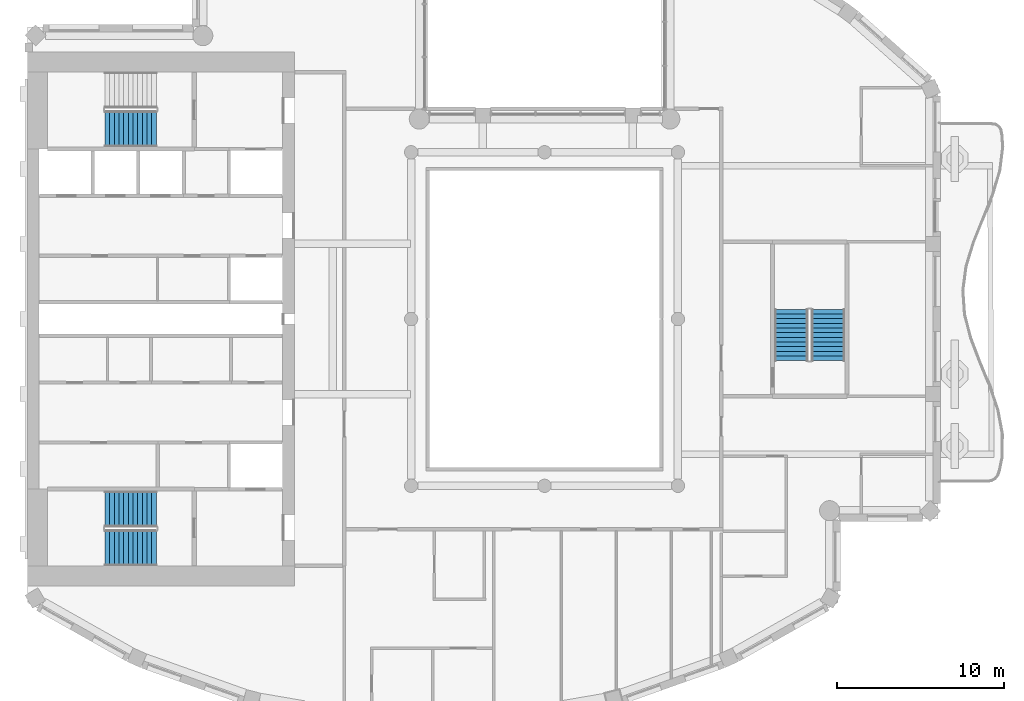
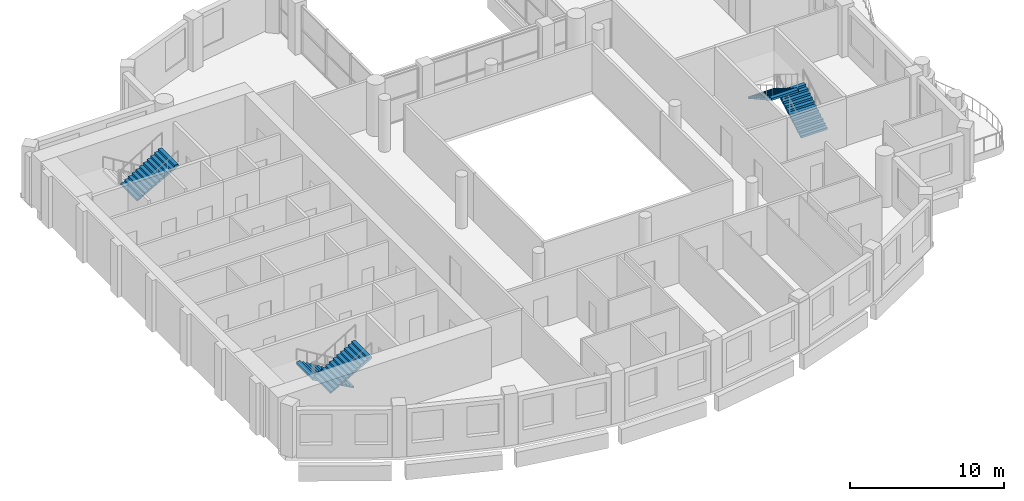
# One storey, part 9 of 15: 5 stair flights, 3 elements without a shape of their own.
"""IFC4 building model written with IfcOpenShell, lengths in metres."""

from ifc_helpers import new_model, si_unit, direction, frame, origin, place, context, subcontext, project, spatial, triangles, material, type_object, element, aggregate, save


model = new_model("IFC4")

# Units and contexts
model_context = context("Model", 3, precision=1e-05, world=origin(), true_north=direction((0.0, 1.0)))
body_context = subcontext(model_context, "Body", "Model", "MODEL_VIEW")
ifc_project = project(units=[si_unit("LENGTHUNIT", "METRE"), si_unit("AREAUNIT", "SQUARE_METRE"), si_unit("VOLUMEUNIT", "CUBIC_METRE"), si_unit("PLANEANGLEUNIT", "RADIAN"), si_unit("MASSUNIT", "GRAM", prefix="KILO")], contexts=[model_context])

# Site, building, storey
site_placement = place(None, origin())
site = spatial("IfcSite", under=ifc_project, at=site_placement, CompositionType="ELEMENT")
building_placement = place(site_placement, origin())
building = spatial("IfcBuilding", under=site, at=building_placement, Name="Cypress Arch Tower", CompositionType="ELEMENT")
storey_placement = place(building_placement, frame((0.0, 0.0, 317.199951171875)))
storey = spatial("IfcBuildingStorey", under=building, at=storey_placement, Name="L72", CompositionType="ELEMENT", Elevation=317.199951171875)

# Stair, stair flights
ifc_material_1 = material(Name="Concrete C40/50", Category="concrete")
stair_type_1 = type_object("IfcStairType", Name="Exit stair ES1708-200", PredefinedType="HALF_TURN_STAIR", material=ifc_material_1)
stair_1_placement = place(storey_placement, origin())
stair_1 = element("IfcStair", 1, at=stair_1_placement, inside=storey, type_object=stair_type_1, Name="L72 Exit stair C", PredefinedType="HALF_TURN_STAIR")
ifc_material_2 = material(Name="Concrete C40/50", Category="concrete")
stair_flight_type_1 = type_object("IfcStairFlightType", Name="Exit stair flight ES1708-200", PredefinedType="STRAIGHT", material=ifc_material_2)
stair_flight_1_placement = place(storey_placement, frame((18.0, -2.5, 0.0), z_axis=(0.0, 0.0, 1.0), x_axis=(0.0, 1.0, 0.0)))
stair_flight_1 = element("IfcStairFlight", 2, at=stair_flight_1_placement, type_object=stair_flight_type_1, Name="C flight 1", NumberOfRisers=12, NumberOfTreads=11, PredefinedType="STRAIGHT", RiserHeight=0.170833333, TreadLength=0.28, context=body_context, shape_type="Tessellation", body=[
    triangles([(0.0, -1.0, 0.0), (0.0, -1.0, 0.1708984375), (0.280029296875, -1.0, 0.1708984375), (0.280029296875, -1.0, 0.341552734375), (0.56005859375, -1.0, 0.341552734375), (0.56005859375, -1.0, 0.512451171875), (0.840087890625, -1.0, 0.512451171875), (0.840087890625, -1.0, 0.683349609375), (1.1201171875, -1.0, 0.683349609375), (1.1201171875, -1.0, 0.854248046875), (1.39990234375, -1.0, 0.854248046875), (1.39990234375, -1.0, 1.02490234375), (1.679931640625, -1.0, 1.02490234375), (1.679931640625, -1.0, 1.19580078125), (1.9599609375, -1.0, 1.19580078125), (1.9599609375, -1.0, 1.36669921875), (2.239990234375, -1.0, 1.36669921875), (2.239990234375, -1.0, 1.53759765625), (2.52001953125, -1.0, 1.53759765625), (2.52001953125, -1.0, 1.708251953125), (2.800048828125, -1.0, 1.708251953125), (2.800048828125, -1.0, 1.879150390625), (3.080078125, -1.0, 1.879150390625), (3.080078125, -1.0, 1.70361328125), (3.080078125, 1.0, 1.70361328125), (3.080078125, 1.0, 1.879150390625), (2.800048828125, 1.0, 1.879150390625), (2.800048828125, 1.0, 1.708251953125), (2.52001953125, 1.0, 1.708251953125), (2.52001953125, 1.0, 1.53759765625), (2.239990234375, 1.0, 1.53759765625), (2.239990234375, 1.0, 1.36669921875), (1.9599609375, 1.0, 1.36669921875), (1.9599609375, 1.0, 1.19580078125), (1.679931640625, 1.0, 1.19580078125), (1.679931640625, 1.0, 1.02490234375), (1.39990234375, 1.0, 1.02490234375), (1.39990234375, 1.0, 0.854248046875), (1.1201171875, 1.0, 0.854248046875), (1.1201171875, 1.0, 0.683349609375), (0.840087890625, 1.0, 0.683349609375), (0.840087890625, 1.0, 0.512451171875), (0.56005859375, 1.0, 0.512451171875), (0.56005859375, 1.0, 0.341552734375), (0.280029296875, 1.0, 0.341552734375), (0.280029296875, 1.0, 0.1708984375), (0.0, 1.0, 0.1708984375), (0.0, 1.0, 0.0), (3.080078125, 0.0, 1.879150390625), (3.080078125, 0.0, 1.70361328125), (2.800048828125, 0.0, 1.879150390625), (2.800048828125, 0.0, 1.708251953125), (2.52001953125, 0.0, 1.708251953125), (2.52001953125, 0.0, 1.53759765625), (2.239990234375, 0.0, 1.53759765625), (2.239990234375, 0.0, 1.36669921875), (1.9599609375, 0.0, 1.36669921875), (1.9599609375, 0.0, 1.19580078125), (1.679931640625, 0.0, 1.19580078125), (1.679931640625, 0.0, 1.02490234375), (1.39990234375, 0.0, 1.02490234375), (1.39990234375, 0.0, 0.854248046875), (1.1201171875, 0.0, 0.854248046875), (1.1201171875, 0.0, 0.683349609375), (0.840087890625, 0.0, 0.683349609375), (0.840087890625, 0.0, 0.512451171875), (0.56005859375, 0.0, 0.512451171875), (0.56005859375, 0.0, 0.341552734375), (0.280029296875, 0.0, 0.341552734375), (0.280029296875, 0.0, 0.1708984375), (0.0, 0.0, 0.1708984375), (0.0, 0.0, 0.0)], [[24, 23, 22], [11, 10, 9], [19, 18, 17], [17, 16, 15], [15, 14, 13], [9, 8, 7], [7, 6, 5], [3, 2, 1], [21, 20, 19], [13, 12, 11], [5, 4, 3], [24, 22, 21], [24, 21, 19], [24, 19, 17], [24, 17, 15], [24, 15, 13], [24, 13, 11], [24, 11, 9], [24, 9, 7], [24, 7, 5], [1, 24, 5], [5, 3, 1], [25, 27, 26], [38, 40, 39], [30, 32, 31], [32, 34, 33], [34, 36, 35], [40, 42, 41], [42, 44, 43], [46, 48, 47], [28, 30, 29], [36, 38, 37], [44, 46, 45], [25, 28, 27], [25, 30, 28], [25, 32, 30], [25, 34, 32], [25, 36, 34], [25, 38, 36], [25, 40, 38], [25, 42, 40], [25, 44, 42], [48, 44, 25], [44, 48, 46], [50, 49, 23], [50, 23, 24], [25, 26, 49], [25, 49, 50], [49, 51, 22], [49, 22, 23], [26, 27, 51], [26, 51, 49], [51, 52, 21], [51, 21, 22], [27, 28, 52], [27, 52, 51], [52, 53, 20], [52, 20, 21], [28, 29, 53], [28, 53, 52], [53, 54, 19], [53, 19, 20], [29, 30, 54], [29, 54, 53], [54, 55, 18], [54, 18, 19], [30, 31, 55], [30, 55, 54], [55, 56, 17], [55, 17, 18], [31, 32, 56], [31, 56, 55], [56, 57, 16], [56, 16, 17], [32, 33, 57], [32, 57, 56], [57, 58, 15], [57, 15, 16], [33, 34, 58], [33, 58, 57], [58, 59, 14], [58, 14, 15], [34, 35, 59], [34, 59, 58], [59, 60, 13], [59, 13, 14], [35, 36, 60], [35, 60, 59], [60, 61, 12], [60, 12, 13], [36, 37, 61], [36, 61, 60], [61, 62, 11], [61, 11, 12], [37, 38, 62], [37, 62, 61], [62, 63, 10], [62, 10, 11], [38, 39, 63], [38, 63, 62], [63, 64, 9], [63, 9, 10], [39, 40, 64], [39, 64, 63], [64, 65, 8], [64, 8, 9], [40, 41, 65], [40, 65, 64], [65, 66, 7], [65, 7, 8], [41, 42, 66], [41, 66, 65], [66, 67, 6], [66, 6, 7], [42, 43, 67], [42, 67, 66], [67, 68, 5], [67, 5, 6], [43, 44, 68], [43, 68, 67], [68, 69, 4], [68, 4, 5], [44, 45, 69], [44, 69, 68], [69, 70, 3], [69, 3, 4], [45, 46, 70], [45, 70, 69], [70, 71, 2], [70, 2, 3], [46, 47, 71], [46, 71, 70], [71, 72, 1], [71, 1, 2], [47, 48, 72], [47, 72, 71], [72, 50, 24], [72, 24, 1], [48, 25, 50], [48, 50, 72]], closed=True),
])
stair_flight_2_placement = place(storey_placement, frame((15.800048828125, 0.580078125, 2.050048828125), z_axis=(0.0, 0.0, 1.0), x_axis=(0.0, -1.0, 0.0)))
stair_flight_2 = element("IfcStairFlight", 3, at=stair_flight_2_placement, type_object=stair_flight_type_1, Name="C flight 2", NumberOfRisers=12, NumberOfTreads=11, PredefinedType="STRAIGHT", RiserHeight=0.170833333, TreadLength=0.28, context=body_context, shape_type="Tessellation", body=[
    triangles([(0.0, -1.0, 0.0), (0.0, -1.0, 0.1708984375), (0.280029296875, -1.0, 0.1708984375), (0.280029296875, -1.0, 0.341552734375), (0.56005859375, -1.0, 0.341552734375), (0.56005859375, -1.0, 0.512451171875), (0.840087890625, -1.0, 0.512451171875), (0.840087890625, -1.0, 0.683349609375), (1.1201171875, -1.0, 0.683349609375), (1.1201171875, -1.0, 0.854248046875), (1.39990234375, -1.0, 0.854248046875), (1.39990234375, -1.0, 1.02490234375), (1.679931640625, -1.0, 1.02490234375), (1.679931640625, -1.0, 1.19580078125), (1.9599609375, -1.0, 1.19580078125), (1.9599609375, -1.0, 1.36669921875), (2.239990234375, -1.0, 1.36669921875), (2.239990234375, -1.0, 1.53759765625), (2.52001953125, -1.0, 1.53759765625), (2.52001953125, -1.0, 1.708251953125), (2.800048828125, -1.0, 1.708251953125), (2.800048828125, -1.0, 1.879150390625), (3.080078125, -1.0, 1.879150390625), (3.080078125, -1.0, 1.70361328125), (3.080078125, 1.0, 1.70361328125), (3.080078125, 1.0, 1.879150390625), (2.800048828125, 1.0, 1.879150390625), (2.800048828125, 1.0, 1.708251953125), (2.52001953125, 1.0, 1.708251953125), (2.52001953125, 1.0, 1.53759765625), (2.239990234375, 1.0, 1.53759765625), (2.239990234375, 1.0, 1.36669921875), (1.9599609375, 1.0, 1.36669921875), (1.9599609375, 1.0, 1.19580078125), (1.679931640625, 1.0, 1.19580078125), (1.679931640625, 1.0, 1.02490234375), (1.39990234375, 1.0, 1.02490234375), (1.39990234375, 1.0, 0.854248046875), (1.1201171875, 1.0, 0.854248046875), (1.1201171875, 1.0, 0.683349609375), (0.840087890625, 1.0, 0.683349609375), (0.840087890625, 1.0, 0.512451171875), (0.56005859375, 1.0, 0.512451171875), (0.56005859375, 1.0, 0.341552734375), (0.280029296875, 1.0, 0.341552734375), (0.280029296875, 1.0, 0.1708984375), (0.0, 1.0, 0.1708984375), (0.0, 1.0, 0.0), (3.080078125, 0.0, 1.879150390625), (3.080078125, 0.0, 1.70361328125), (2.800048828125, 0.0, 1.879150390625), (2.800048828125, 0.0, 1.708251953125), (2.52001953125, 0.0, 1.708251953125), (2.52001953125, 0.0, 1.53759765625), (2.239990234375, 0.0, 1.53759765625), (2.239990234375, 0.0, 1.36669921875), (1.9599609375, 0.0, 1.36669921875), (1.9599609375, 0.0, 1.19580078125), (1.679931640625, 0.0, 1.19580078125), (1.679931640625, 0.0, 1.02490234375), (1.39990234375, 0.0, 1.02490234375), (1.39990234375, 0.0, 0.854248046875), (1.1201171875, 0.0, 0.854248046875), (1.1201171875, 0.0, 0.683349609375), (0.840087890625, 0.0, 0.683349609375), (0.840087890625, 0.0, 0.512451171875), (0.56005859375, 0.0, 0.512451171875), (0.56005859375, 0.0, 0.341552734375), (0.280029296875, 0.0, 0.341552734375), (0.280029296875, 0.0, 0.1708984375), (0.0, 0.0, 0.1708984375), (0.0, 0.0, 0.0)], [[24, 23, 22], [11, 10, 9], [19, 18, 17], [17, 16, 15], [15, 14, 13], [9, 8, 7], [7, 6, 5], [3, 2, 1], [21, 20, 19], [13, 12, 11], [5, 4, 3], [24, 22, 21], [24, 21, 19], [24, 19, 17], [24, 17, 15], [24, 15, 13], [24, 13, 11], [24, 11, 9], [24, 9, 7], [24, 7, 5], [1, 24, 5], [5, 3, 1], [25, 27, 26], [38, 40, 39], [30, 32, 31], [32, 34, 33], [34, 36, 35], [40, 42, 41], [42, 44, 43], [46, 48, 47], [28, 30, 29], [36, 38, 37], [44, 46, 45], [25, 28, 27], [25, 30, 28], [25, 32, 30], [25, 34, 32], [25, 36, 34], [25, 38, 36], [25, 40, 38], [25, 42, 40], [25, 44, 42], [48, 44, 25], [44, 48, 46], [50, 49, 23], [50, 23, 24], [25, 26, 49], [25, 49, 50], [49, 51, 22], [49, 22, 23], [26, 27, 51], [26, 51, 49], [51, 52, 21], [51, 21, 22], [27, 28, 52], [27, 52, 51], [52, 53, 20], [52, 20, 21], [28, 29, 53], [28, 53, 52], [53, 54, 19], [53, 19, 20], [29, 30, 54], [29, 54, 53], [54, 55, 18], [54, 18, 19], [30, 31, 55], [30, 55, 54], [55, 56, 17], [55, 17, 18], [31, 32, 56], [31, 56, 55], [56, 57, 16], [56, 16, 17], [32, 33, 57], [32, 57, 56], [57, 58, 15], [57, 15, 16], [33, 34, 58], [33, 58, 57], [58, 59, 14], [58, 14, 15], [34, 35, 59], [34, 59, 58], [59, 60, 13], [59, 13, 14], [35, 36, 60], [35, 60, 59], [60, 61, 12], [60, 12, 13], [36, 37, 61], [36, 61, 60], [61, 62, 11], [61, 11, 12], [37, 38, 62], [37, 62, 61], [62, 63, 10], [62, 10, 11], [38, 39, 63], [38, 63, 62], [63, 64, 9], [63, 9, 10], [39, 40, 64], [39, 64, 63], [64, 65, 8], [64, 8, 9], [40, 41, 65], [40, 65, 64], [65, 66, 7], [65, 7, 8], [41, 42, 66], [41, 66, 65], [66, 67, 6], [66, 6, 7], [42, 43, 67], [42, 67, 66], [67, 68, 5], [67, 5, 6], [43, 44, 68], [43, 68, 67], [68, 69, 4], [68, 4, 5], [44, 45, 69], [44, 69, 68], [69, 70, 3], [69, 3, 4], [45, 46, 70], [45, 70, 69], [70, 71, 2], [70, 2, 3], [46, 47, 71], [46, 71, 70], [71, 72, 1], [71, 1, 2], [47, 48, 72], [47, 72, 71], [72, 50, 24], [72, 24, 1], [48, 25, 50], [48, 50, 72]], closed=True),
])
aggregate(stair_1, [stair_flight_1, stair_flight_2])

ifc_material_3 = material(Name="Concrete C40/50", Category="concrete")
stair_type_2 = type_object("IfcStairType", Name="Exit stair ES1708-215", PredefinedType="HALF_TURN_STAIR", material=ifc_material_3)
stair_2_placement = place(storey_placement, origin())
stair_2 = element("IfcStair", 4, at=stair_2_placement, inside=storey, type_object=stair_type_2, Name="L72 Exit stair A", PredefinedType="HALF_TURN_STAIR")
ifc_material_4 = material(Name="Concrete C40/50", Category="concrete")
stair_flight_type_2 = type_object("IfcStairFlightType", Name="Exit stair flight ES1708-215", PredefinedType="STRAIGHT", material=ifc_material_4)
stair_flight_3_placement = place(storey_placement, frame((-22.27490234375, -11.39990234375, 0.0), z_axis=(0.0, 0.0, 1.0), x_axis=(-1.0, 0.0, 0.0)))
stair_flight_3 = element("IfcStairFlight", 5, at=stair_flight_3_placement, type_object=stair_flight_type_2, Name="A flight 1", NumberOfRisers=12, NumberOfTreads=11, PredefinedType="STRAIGHT", RiserHeight=0.170833333, TreadLength=0.28, context=body_context, shape_type="Tessellation", body=[
    triangles([(0.0, -1.074951171875, 0.0), (0.000244140625, -1.074951171875, 0.01904296875), (0.000244140625, -1.074951171875, 0.0380859375), (0.00048828125, -1.074951171875, 0.056884765625), (0.00048828125, -1.074951171875, 0.075927734375), (0.00048828125, -1.074951171875, 0.094970703125), (0.00048828125, -1.074951171875, 0.114013671875), (0.000244140625, -1.074951171875, 0.1328125), (0.000244140625, -1.074951171875, 0.15185546875), (0.0, -1.074951171875, 0.1708984375), (0.280029296875, -1.074951171875, 0.1708984375), (0.280029296875, -1.074951171875, 0.341552734375), (0.56005859375, -1.074951171875, 0.341552734375), (0.56005859375, -1.074951171875, 0.512451171875), (0.840087890625, -1.074951171875, 0.512451171875), (0.840087890625, -1.074951171875, 0.683349609375), (1.1201171875, -1.074951171875, 0.683349609375), (1.1201171875, -1.074951171875, 0.854248046875), (1.39990234375, -1.074951171875, 0.854248046875), (1.39990234375, -1.074951171875, 1.02490234375), (1.679931640625, -1.074951171875, 1.02490234375), (1.679931640625, -1.074951171875, 1.19580078125), (1.9599609375, -1.074951171875, 1.19580078125), (1.9599609375, -1.074951171875, 1.36669921875), (2.239990234375, -1.074951171875, 1.36669921875), (2.239990234375, -1.074951171875, 1.53759765625), (2.52001953125, -1.074951171875, 1.53759765625), (2.52001953125, -1.074951171875, 1.708251953125), (2.800048828125, -1.074951171875, 1.708251953125), (2.800048828125, -1.074951171875, 1.879150390625), (3.080078125, -1.074951171875, 1.879150390625), (3.079833984375, -1.074951171875, 1.859619140625), (3.079833984375, -1.074951171875, 1.840087890625), (3.07958984375, -1.074951171875, 1.820556640625), (3.07958984375, -1.074951171875, 1.801025390625), (3.07958984375, -1.074951171875, 1.78173828125), (3.07958984375, -1.074951171875, 1.76220703125), (3.079833984375, -1.074951171875, 1.74267578125), (3.079833984375, -1.074951171875, 1.72314453125), (3.080078125, -1.074951171875, 1.70361328125), (3.080078125, 1.074951171875, 1.70361328125), (3.079833984375, 1.074951171875, 1.72314453125), (3.079833984375, 1.074951171875, 1.74267578125), (3.07958984375, 1.074951171875, 1.76220703125), (3.07958984375, 1.074951171875, 1.78173828125), (3.07958984375, 1.074951171875, 1.801025390625), (3.07958984375, 1.074951171875, 1.820556640625), (3.079833984375, 1.074951171875, 1.840087890625), (3.079833984375, 1.074951171875, 1.859619140625), (3.080078125, 1.074951171875, 1.879150390625), (2.800048828125, 1.074951171875, 1.879150390625), (2.800048828125, 1.074951171875, 1.708251953125), (2.52001953125, 1.074951171875, 1.708251953125), (2.52001953125, 1.074951171875, 1.53759765625), (2.239990234375, 1.074951171875, 1.53759765625), (2.239990234375, 1.074951171875, 1.36669921875), (1.9599609375, 1.074951171875, 1.36669921875), (1.9599609375, 1.074951171875, 1.19580078125), (1.679931640625, 1.074951171875, 1.19580078125), (1.679931640625, 1.074951171875, 1.02490234375), (1.39990234375, 1.074951171875, 1.02490234375), (1.39990234375, 1.074951171875, 0.854248046875), (1.1201171875, 1.074951171875, 0.854248046875), (1.1201171875, 1.074951171875, 0.683349609375), (0.840087890625, 1.074951171875, 0.683349609375), (0.840087890625, 1.074951171875, 0.512451171875), (0.56005859375, 1.074951171875, 0.512451171875), (0.56005859375, 1.074951171875, 0.341552734375), (0.280029296875, 1.074951171875, 0.341552734375), (0.280029296875, 1.074951171875, 0.1708984375), (0.0, 1.074951171875, 0.1708984375), (0.000244140625, 1.074951171875, 0.15185546875), (0.000244140625, 1.074951171875, 0.1328125), (0.00048828125, 1.074951171875, 0.114013671875), (0.00048828125, 1.074951171875, 0.094970703125), (0.00048828125, 1.074951171875, 0.075927734375), (0.00048828125, 1.074951171875, 0.056884765625), (0.000244140625, 1.074951171875, 0.0380859375), (0.000244140625, 1.074951171875, 0.01904296875), (0.0, 1.074951171875, 0.0)], [[40, 39, 30], [39, 38, 30], [38, 37, 30], [37, 36, 30], [36, 35, 30], [35, 34, 30], [34, 33, 30], [33, 32, 30], [32, 31, 30], [19, 18, 17], [27, 26, 25], [25, 24, 23], [23, 22, 21], [17, 16, 15], [15, 14, 13], [10, 9, 11], [9, 8, 11], [8, 7, 11], [7, 6, 11], [6, 5, 11], [5, 4, 11], [4, 3, 11], [3, 2, 11], [2, 1, 11], [29, 28, 27], [21, 20, 19], [13, 12, 11], [40, 30, 29], [40, 29, 27], [40, 27, 25], [40, 25, 23], [40, 23, 21], [40, 21, 19], [40, 19, 17], [40, 17, 15], [40, 15, 13], [1, 40, 13], [13, 11, 1], [41, 51, 42], [42, 51, 43], [43, 51, 44], [44, 51, 45], [45, 51, 46], [46, 51, 47], [47, 51, 48], [48, 51, 49], [49, 51, 50], [62, 64, 63], [54, 56, 55], [56, 58, 57], [58, 60, 59], [64, 66, 65], [66, 68, 67], [71, 70, 72], [72, 70, 73], [73, 70, 74], [74, 70, 75], [75, 70, 76], [76, 70, 77], [77, 70, 78], [78, 70, 79], [79, 70, 80], [52, 54, 53], [60, 62, 61], [68, 70, 69], [41, 52, 51], [41, 54, 52], [41, 56, 54], [41, 58, 56], [41, 60, 58], [41, 62, 60], [41, 64, 62], [41, 66, 64], [41, 68, 66], [80, 68, 41], [68, 80, 70], [41, 42, 39], [41, 39, 40], [42, 43, 38], [42, 38, 39], [43, 44, 37], [43, 37, 38], [44, 45, 36], [44, 36, 37], [45, 46, 35], [45, 35, 36], [46, 47, 34], [46, 34, 35], [47, 48, 33], [47, 33, 34], [48, 49, 32], [48, 32, 33], [49, 50, 31], [49, 31, 32], [50, 51, 30], [50, 30, 31], [51, 52, 29], [51, 29, 30], [52, 53, 28], [52, 28, 29], [53, 54, 27], [53, 27, 28], [54, 55, 26], [54, 26, 27], [55, 56, 25], [55, 25, 26], [56, 57, 24], [56, 24, 25], [57, 58, 23], [57, 23, 24], [58, 59, 22], [58, 22, 23], [59, 60, 21], [59, 21, 22], [60, 61, 20], [60, 20, 21], [61, 62, 19], [61, 19, 20], [62, 63, 18], [62, 18, 19], [63, 64, 17], [63, 17, 18], [64, 65, 16], [64, 16, 17], [65, 66, 15], [65, 15, 16], [66, 67, 14], [66, 14, 15], [67, 68, 13], [67, 13, 14], [68, 69, 12], [68, 12, 13], [69, 70, 11], [69, 11, 12], [70, 71, 10], [70, 10, 11], [71, 72, 9], [71, 9, 10], [72, 73, 8], [72, 8, 9], [73, 74, 7], [73, 7, 8], [74, 75, 6], [74, 6, 7], [75, 76, 5], [75, 5, 6], [76, 77, 4], [76, 4, 5], [77, 78, 3], [77, 3, 4], [78, 79, 2], [78, 2, 3], [79, 80, 1], [79, 1, 2], [80, 41, 40], [80, 40, 1]], closed=True),
])
stair_flight_4_placement = place(storey_placement, frame((-25.35498046875, -13.72509765625, 2.050048828125), z_axis=(0.0, 0.0, 1.0), x_axis=(1.0, 0.0, 0.0)))
stair_flight_4 = element("IfcStairFlight", 6, at=stair_flight_4_placement, type_object=stair_flight_type_2, Name="A flight 2", NumberOfRisers=12, NumberOfTreads=11, PredefinedType="STRAIGHT", RiserHeight=0.170833333, TreadLength=0.28, context=body_context, shape_type="Tessellation", body=[
    triangles([(0.0, -1.074951171875, 0.0), (0.000244140625, -1.074951171875, 0.01904296875), (0.000244140625, -1.074951171875, 0.0380859375), (0.00048828125, -1.074951171875, 0.056884765625), (0.00048828125, -1.074951171875, 0.075927734375), (0.00048828125, -1.074951171875, 0.094970703125), (0.00048828125, -1.074951171875, 0.114013671875), (0.000244140625, -1.074951171875, 0.1328125), (0.000244140625, -1.074951171875, 0.15185546875), (0.0, -1.074951171875, 0.1708984375), (0.280029296875, -1.074951171875, 0.1708984375), (0.280029296875, -1.074951171875, 0.341552734375), (0.56005859375, -1.074951171875, 0.341552734375), (0.56005859375, -1.074951171875, 0.512451171875), (0.840087890625, -1.074951171875, 0.512451171875), (0.840087890625, -1.074951171875, 0.683349609375), (1.1201171875, -1.074951171875, 0.683349609375), (1.1201171875, -1.074951171875, 0.854248046875), (1.39990234375, -1.074951171875, 0.854248046875), (1.39990234375, -1.074951171875, 1.02490234375), (1.679931640625, -1.074951171875, 1.02490234375), (1.679931640625, -1.074951171875, 1.19580078125), (1.9599609375, -1.074951171875, 1.19580078125), (1.9599609375, -1.074951171875, 1.36669921875), (2.239990234375, -1.074951171875, 1.36669921875), (2.239990234375, -1.074951171875, 1.53759765625), (2.52001953125, -1.074951171875, 1.53759765625), (2.52001953125, -1.074951171875, 1.708251953125), (2.800048828125, -1.074951171875, 1.708251953125), (2.800048828125, -1.074951171875, 1.879150390625), (3.080078125, -1.074951171875, 1.879150390625), (3.079833984375, -1.074951171875, 1.859619140625), (3.079833984375, -1.074951171875, 1.840087890625), (3.07958984375, -1.074951171875, 1.820556640625), (3.07958984375, -1.074951171875, 1.801025390625), (3.07958984375, -1.074951171875, 1.78173828125), (3.07958984375, -1.074951171875, 1.76220703125), (3.079833984375, -1.074951171875, 1.74267578125), (3.079833984375, -1.074951171875, 1.72314453125), (3.080078125, -1.074951171875, 1.70361328125), (3.080078125, 1.074951171875, 1.70361328125), (3.079833984375, 1.074951171875, 1.72314453125), (3.079833984375, 1.074951171875, 1.74267578125), (3.07958984375, 1.074951171875, 1.76220703125), (3.07958984375, 1.074951171875, 1.78173828125), (3.07958984375, 1.074951171875, 1.801025390625), (3.07958984375, 1.074951171875, 1.820556640625), (3.079833984375, 1.074951171875, 1.840087890625), (3.079833984375, 1.074951171875, 1.859619140625), (3.080078125, 1.074951171875, 1.879150390625), (2.800048828125, 1.074951171875, 1.879150390625), (2.800048828125, 1.074951171875, 1.708251953125), (2.52001953125, 1.074951171875, 1.708251953125), (2.52001953125, 1.074951171875, 1.53759765625), (2.239990234375, 1.074951171875, 1.53759765625), (2.239990234375, 1.074951171875, 1.36669921875), (1.9599609375, 1.074951171875, 1.36669921875), (1.9599609375, 1.074951171875, 1.19580078125), (1.679931640625, 1.074951171875, 1.19580078125), (1.679931640625, 1.074951171875, 1.02490234375), (1.39990234375, 1.074951171875, 1.02490234375), (1.39990234375, 1.074951171875, 0.854248046875), (1.1201171875, 1.074951171875, 0.854248046875), (1.1201171875, 1.074951171875, 0.683349609375), (0.840087890625, 1.074951171875, 0.683349609375), (0.840087890625, 1.074951171875, 0.512451171875), (0.56005859375, 1.074951171875, 0.512451171875), (0.56005859375, 1.074951171875, 0.341552734375), (0.280029296875, 1.074951171875, 0.341552734375), (0.280029296875, 1.074951171875, 0.1708984375), (0.0, 1.074951171875, 0.1708984375), (0.000244140625, 1.074951171875, 0.15185546875), (0.000244140625, 1.074951171875, 0.1328125), (0.00048828125, 1.074951171875, 0.114013671875), (0.00048828125, 1.074951171875, 0.094970703125), (0.00048828125, 1.074951171875, 0.075927734375), (0.00048828125, 1.074951171875, 0.056884765625), (0.000244140625, 1.074951171875, 0.0380859375), (0.000244140625, 1.074951171875, 0.01904296875), (0.0, 1.074951171875, 0.0)], [[40, 39, 30], [39, 38, 30], [38, 37, 30], [37, 36, 30], [36, 35, 30], [35, 34, 30], [34, 33, 30], [33, 32, 30], [32, 31, 30], [19, 18, 17], [27, 26, 25], [25, 24, 23], [23, 22, 21], [17, 16, 15], [15, 14, 13], [10, 9, 11], [9, 8, 11], [8, 7, 11], [7, 6, 11], [6, 5, 11], [5, 4, 11], [4, 3, 11], [3, 2, 11], [2, 1, 11], [29, 28, 27], [21, 20, 19], [13, 12, 11], [40, 30, 29], [40, 29, 27], [40, 27, 25], [40, 25, 23], [40, 23, 21], [40, 21, 19], [40, 19, 17], [40, 17, 15], [40, 15, 13], [1, 40, 13], [13, 11, 1], [41, 51, 42], [42, 51, 43], [43, 51, 44], [44, 51, 45], [45, 51, 46], [46, 51, 47], [47, 51, 48], [48, 51, 49], [49, 51, 50], [62, 64, 63], [54, 56, 55], [56, 58, 57], [58, 60, 59], [64, 66, 65], [66, 68, 67], [71, 70, 72], [72, 70, 73], [73, 70, 74], [74, 70, 75], [75, 70, 76], [76, 70, 77], [77, 70, 78], [78, 70, 79], [79, 70, 80], [52, 54, 53], [60, 62, 61], [68, 70, 69], [41, 52, 51], [41, 54, 52], [41, 56, 54], [41, 58, 56], [41, 60, 58], [41, 62, 60], [41, 64, 62], [41, 66, 64], [41, 68, 66], [80, 68, 41], [68, 80, 70], [41, 42, 39], [41, 39, 40], [42, 43, 38], [42, 38, 39], [43, 44, 37], [43, 37, 38], [44, 45, 36], [44, 36, 37], [45, 46, 35], [45, 35, 36], [46, 47, 34], [46, 34, 35], [47, 48, 33], [47, 33, 34], [48, 49, 32], [48, 32, 33], [49, 50, 31], [49, 31, 32], [50, 51, 30], [50, 30, 31], [51, 52, 29], [51, 29, 30], [52, 53, 28], [52, 28, 29], [53, 54, 27], [53, 27, 28], [54, 55, 26], [54, 26, 27], [55, 56, 25], [55, 25, 26], [56, 57, 24], [56, 24, 25], [57, 58, 23], [57, 23, 24], [58, 59, 22], [58, 22, 23], [59, 60, 21], [59, 21, 22], [60, 61, 20], [60, 20, 21], [61, 62, 19], [61, 19, 20], [62, 63, 18], [62, 18, 19], [63, 64, 17], [63, 17, 18], [64, 65, 16], [64, 16, 17], [65, 66, 15], [65, 15, 16], [66, 67, 14], [66, 14, 15], [67, 68, 13], [67, 13, 14], [68, 69, 12], [68, 12, 13], [69, 70, 11], [69, 11, 12], [70, 71, 10], [70, 10, 11], [71, 72, 9], [71, 9, 10], [72, 73, 8], [72, 8, 9], [73, 74, 7], [73, 7, 8], [74, 75, 6], [74, 6, 7], [75, 76, 5], [75, 5, 6], [76, 77, 4], [76, 4, 5], [77, 78, 3], [77, 3, 4], [78, 79, 2], [78, 2, 3], [79, 80, 1], [79, 1, 2], [80, 41, 40], [80, 40, 1]], closed=True),
])
aggregate(stair_2, [stair_flight_3, stair_flight_4])

# Stair, stair flight
stair_3_placement = place(storey_placement, origin())
stair_3 = element("IfcStair", 7, at=stair_3_placement, inside=storey, type_object=stair_type_2, Name="L72 Exit stair B", PredefinedType="HALF_TURN_STAIR")
stair_flight_5_placement = place(storey_placement, frame((-25.35498046875, 11.39990234375, 2.050048828125), z_axis=(0.0, 0.0, 1.0), x_axis=(1.0, 0.0, 0.0)))
stair_flight_5 = element("IfcStairFlight", 8, at=stair_flight_5_placement, type_object=stair_flight_type_2, Name="B flight 2", NumberOfRisers=12, NumberOfTreads=11, PredefinedType="STRAIGHT", RiserHeight=0.170833333, TreadLength=0.28, context=body_context, shape_type="Tessellation", body=[
    triangles([(0.0, -1.074951171875, 0.0), (0.000244140625, -1.074951171875, 0.01904296875), (0.000244140625, -1.074951171875, 0.0380859375), (0.00048828125, -1.074951171875, 0.056884765625), (0.00048828125, -1.074951171875, 0.075927734375), (0.00048828125, -1.074951171875, 0.094970703125), (0.00048828125, -1.074951171875, 0.114013671875), (0.000244140625, -1.074951171875, 0.1328125), (0.000244140625, -1.074951171875, 0.15185546875), (0.0, -1.074951171875, 0.1708984375), (0.280029296875, -1.074951171875, 0.1708984375), (0.280029296875, -1.074951171875, 0.341552734375), (0.56005859375, -1.074951171875, 0.341552734375), (0.56005859375, -1.074951171875, 0.512451171875), (0.840087890625, -1.074951171875, 0.512451171875), (0.840087890625, -1.074951171875, 0.683349609375), (1.1201171875, -1.074951171875, 0.683349609375), (1.1201171875, -1.074951171875, 0.854248046875), (1.39990234375, -1.074951171875, 0.854248046875), (1.39990234375, -1.074951171875, 1.02490234375), (1.679931640625, -1.074951171875, 1.02490234375), (1.679931640625, -1.074951171875, 1.19580078125), (1.9599609375, -1.074951171875, 1.19580078125), (1.9599609375, -1.074951171875, 1.36669921875), (2.239990234375, -1.074951171875, 1.36669921875), (2.239990234375, -1.074951171875, 1.53759765625), (2.52001953125, -1.074951171875, 1.53759765625), (2.52001953125, -1.074951171875, 1.708251953125), (2.800048828125, -1.074951171875, 1.708251953125), (2.800048828125, -1.074951171875, 1.879150390625), (3.080078125, -1.074951171875, 1.879150390625), (3.079833984375, -1.074951171875, 1.859619140625), (3.079833984375, -1.074951171875, 1.840087890625), (3.07958984375, -1.074951171875, 1.820556640625), (3.07958984375, -1.074951171875, 1.801025390625), (3.07958984375, -1.074951171875, 1.78173828125), (3.07958984375, -1.074951171875, 1.76220703125), (3.079833984375, -1.074951171875, 1.74267578125), (3.079833984375, -1.074951171875, 1.72314453125), (3.080078125, -1.074951171875, 1.70361328125), (3.080078125, 1.074951171875, 1.70361328125), (3.079833984375, 1.074951171875, 1.72314453125), (3.079833984375, 1.074951171875, 1.74267578125), (3.07958984375, 1.074951171875, 1.76220703125), (3.07958984375, 1.074951171875, 1.78173828125), (3.07958984375, 1.074951171875, 1.801025390625), (3.07958984375, 1.074951171875, 1.820556640625), (3.079833984375, 1.074951171875, 1.840087890625), (3.079833984375, 1.074951171875, 1.859619140625), (3.080078125, 1.074951171875, 1.879150390625), (2.800048828125, 1.074951171875, 1.879150390625), (2.800048828125, 1.074951171875, 1.708251953125), (2.52001953125, 1.074951171875, 1.708251953125), (2.52001953125, 1.074951171875, 1.53759765625), (2.239990234375, 1.074951171875, 1.53759765625), (2.239990234375, 1.074951171875, 1.36669921875), (1.9599609375, 1.074951171875, 1.36669921875), (1.9599609375, 1.074951171875, 1.19580078125), (1.679931640625, 1.074951171875, 1.19580078125), (1.679931640625, 1.074951171875, 1.02490234375), (1.39990234375, 1.074951171875, 1.02490234375), (1.39990234375, 1.074951171875, 0.854248046875), (1.1201171875, 1.074951171875, 0.854248046875), (1.1201171875, 1.074951171875, 0.683349609375), (0.840087890625, 1.074951171875, 0.683349609375), (0.840087890625, 1.074951171875, 0.512451171875), (0.56005859375, 1.074951171875, 0.512451171875), (0.56005859375, 1.074951171875, 0.341552734375), (0.280029296875, 1.074951171875, 0.341552734375), (0.280029296875, 1.074951171875, 0.1708984375), (0.0, 1.074951171875, 0.1708984375), (0.000244140625, 1.074951171875, 0.15185546875), (0.000244140625, 1.074951171875, 0.1328125), (0.00048828125, 1.074951171875, 0.114013671875), (0.00048828125, 1.074951171875, 0.094970703125), (0.00048828125, 1.074951171875, 0.075927734375), (0.00048828125, 1.074951171875, 0.056884765625), (0.000244140625, 1.074951171875, 0.0380859375), (0.000244140625, 1.074951171875, 0.01904296875), (0.0, 1.074951171875, 0.0)], [[40, 39, 30], [39, 38, 30], [38, 37, 30], [37, 36, 30], [36, 35, 30], [35, 34, 30], [34, 33, 30], [33, 32, 30], [32, 31, 30], [19, 18, 17], [27, 26, 25], [25, 24, 23], [23, 22, 21], [17, 16, 15], [15, 14, 13], [10, 9, 11], [9, 8, 11], [8, 7, 11], [7, 6, 11], [6, 5, 11], [5, 4, 11], [4, 3, 11], [3, 2, 11], [2, 1, 11], [29, 28, 27], [21, 20, 19], [13, 12, 11], [40, 30, 29], [40, 29, 27], [40, 27, 25], [40, 25, 23], [40, 23, 21], [40, 21, 19], [40, 19, 17], [40, 17, 15], [40, 15, 13], [1, 40, 13], [13, 11, 1], [41, 51, 42], [42, 51, 43], [43, 51, 44], [44, 51, 45], [45, 51, 46], [46, 51, 47], [47, 51, 48], [48, 51, 49], [49, 51, 50], [62, 64, 63], [54, 56, 55], [56, 58, 57], [58, 60, 59], [64, 66, 65], [66, 68, 67], [71, 70, 72], [72, 70, 73], [73, 70, 74], [74, 70, 75], [75, 70, 76], [76, 70, 77], [77, 70, 78], [78, 70, 79], [79, 70, 80], [52, 54, 53], [60, 62, 61], [68, 70, 69], [41, 52, 51], [41, 54, 52], [41, 56, 54], [41, 58, 56], [41, 60, 58], [41, 62, 60], [41, 64, 62], [41, 66, 64], [41, 68, 66], [80, 68, 41], [68, 80, 70], [41, 42, 39], [41, 39, 40], [42, 43, 38], [42, 38, 39], [43, 44, 37], [43, 37, 38], [44, 45, 36], [44, 36, 37], [45, 46, 35], [45, 35, 36], [46, 47, 34], [46, 34, 35], [47, 48, 33], [47, 33, 34], [48, 49, 32], [48, 32, 33], [49, 50, 31], [49, 31, 32], [50, 51, 30], [50, 30, 31], [51, 52, 29], [51, 29, 30], [52, 53, 28], [52, 28, 29], [53, 54, 27], [53, 27, 28], [54, 55, 26], [54, 26, 27], [55, 56, 25], [55, 25, 26], [56, 57, 24], [56, 24, 25], [57, 58, 23], [57, 23, 24], [58, 59, 22], [58, 22, 23], [59, 60, 21], [59, 21, 22], [60, 61, 20], [60, 20, 21], [61, 62, 19], [61, 19, 20], [62, 63, 18], [62, 18, 19], [63, 64, 17], [63, 17, 18], [64, 65, 16], [64, 16, 17], [65, 66, 15], [65, 15, 16], [66, 67, 14], [66, 14, 15], [67, 68, 13], [67, 13, 14], [68, 69, 12], [68, 12, 13], [69, 70, 11], [69, 11, 12], [70, 71, 10], [70, 10, 11], [71, 72, 9], [71, 9, 10], [72, 73, 8], [72, 8, 9], [73, 74, 7], [73, 7, 8], [74, 75, 6], [74, 6, 7], [75, 76, 5], [75, 5, 6], [76, 77, 4], [76, 4, 5], [77, 78, 3], [77, 3, 4], [78, 79, 2], [78, 2, 3], [79, 80, 1], [79, 1, 2], [80, 41, 40], [80, 40, 1]], closed=True),
])
aggregate(stair_3, [stair_flight_5])

save(model, "model.ifc")
